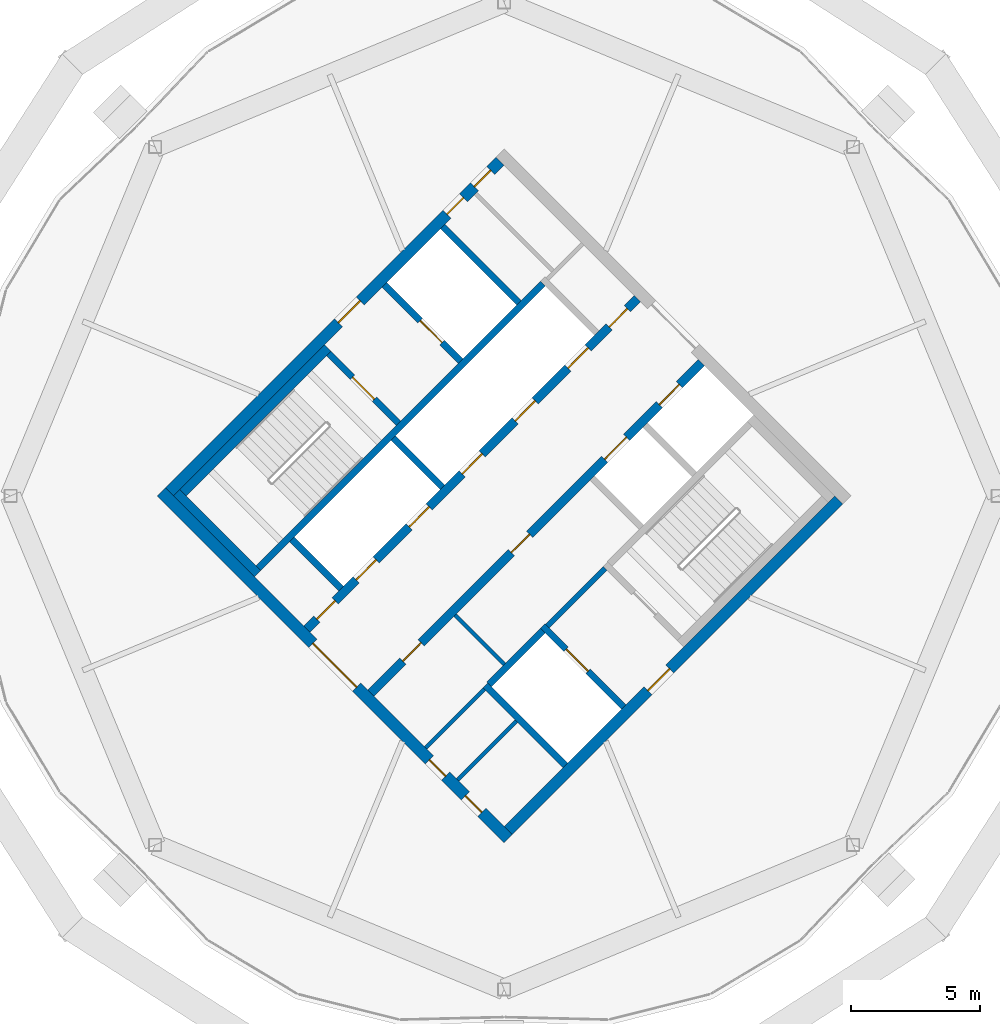
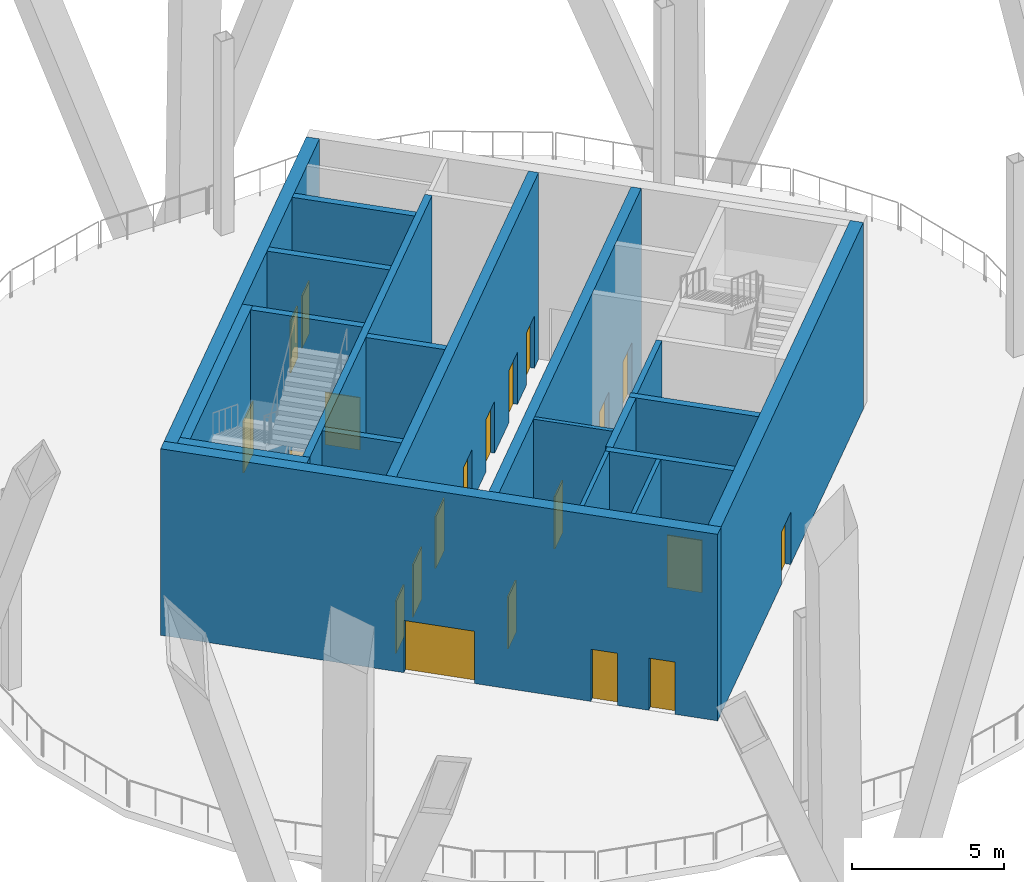
# One storey, part 6 of 13: 21 doors, 20 walls, 21 openings.
"""IFC4 building model written with IfcOpenShell, lengths in metres."""

from ifc_helpers import new_model, si_unit, direction, frame, frame_2d, origin, place, context, subcontext, project, spatial, rectangle, extrude, material, layer, layer_set, type_object, element, fill, save


model = new_model("IFC4")

# Units and contexts
model_context = context("Model", 3, precision=1e-05, world=origin(), true_north=direction((0.0, 1.0)))
body_context = subcontext(model_context, "Body", "Model", "MODEL_VIEW")
ifc_project = project(units=[si_unit("LENGTHUNIT", "METRE"), si_unit("AREAUNIT", "SQUARE_METRE"), si_unit("VOLUMEUNIT", "CUBIC_METRE"), si_unit("PLANEANGLEUNIT", "RADIAN"), si_unit("MASSUNIT", "GRAM", prefix="KILO")], contexts=[model_context])

# Site, building, storey
site_placement = place(None, origin())
site = spatial("IfcSite", under=ifc_project, at=site_placement, CompositionType="ELEMENT")
building_placement = place(site_placement, origin())
building = spatial("IfcBuilding", under=site, at=building_placement, Name="Ogive Gate Towers", CompositionType="ELEMENT")
storey_placement = place(building_placement, frame((0.0, 0.0, 221.10009765625)))
storey = spatial("IfcBuildingStorey", under=building, at=storey_placement, Name="L53", CompositionType="ELEMENT", Elevation=221.10009765625)

# Wall
ifc_material_1 = material(Name="Masonry blockwork", Category="masonry")
ifc_layer_1 = layer(ifc_material_1, 0.199951171875)
ifc_layer_set_1 = layer_set([ifc_layer_1], Name="Blockwork wall 200 mm")
wall_type_1 = type_object("IfcWallType", Name="Blockwork wall 200 mm", PredefinedType="PARTITIONING", material=ifc_layer_set_1)
wall_1_placement = place(storey_placement, frame((37.679443359375, -5.0380859375, 0.0), z_axis=(0.0, 0.0, 1.0), x_axis=(0.707106781187, 0.707106781187, 0.0)))
element("IfcWall", 1, at=wall_1_placement, inside=storey, type_object=wall_type_1, Name="T2 L53 Blockwork wall 200 mm", PredefinedType="PARTITIONING", context=body_context, shape_type="SweptSolid", body=[
    extrude(rectangle(XDim=3.14990234375, YDim=0.199951171875, at=frame_2d((1.574951171875, 0.0))), origin(), (0.0, 0.0, 1.0), 7.5),
])

# Wall, opening, door
ifc_material_2 = material(Name="Concrete C60/75", Category="concrete")
ifc_layer_2 = layer(ifc_material_2, 0.449951171875)
ifc_layer_set_2 = layer_set([ifc_layer_2], Name="Core wall 450 mm")
wall_type_2 = type_object("IfcWallType", Name="Core wall 450 mm", PredefinedType="SHEAR", material=ifc_layer_set_2)
wall_2_placement = place(storey_placement, frame((36.1591796875, -12.957763671875, 0.0), z_axis=(0.0, 0.0, 1.0), x_axis=(0.707106781187, 0.707106781187, 0.0)))
wall_2 = element("IfcWall", 2, at=wall_2_placement, inside=storey, type_object=wall_type_2, Name="T2 L53 Core wall 450 mm", PredefinedType="SHEAR", context=body_context, shape_type="SweptSolid", body=[
    extrude(rectangle(XDim=18.099853515625, YDim=0.449951171875, at=frame_2d((9.0498046875, 0.0))), origin(), (0.0, 0.0, 1.0), 7.5),
])
opening_1_placement = place(wall_2_placement, frame((7.64990234375, 0.0, 0.0)))
opening_1 = element("IfcOpeningElement", 3, at=opening_1_placement, cuts=wall_2, Name="Opening KD-T2-L53-19", PredefinedType="OPENING", context=body_context, shape_type="SweptSolid", body=[
    extrude(rectangle(XDim=1.199951171875, YDim=2.10009765625, at=frame_2d((0.60009765625, 1.050048828125))), frame((0.0, 0.23486328125, 0.0), z_axis=(0.0, -1.0, 0.0), x_axis=(1.0, 0.0, 0.0)), (0.0, 0.0, 1.0), 0.469970703125),
])
ifc_material_3 = material(Name="Steel fire door", Category="steel")
door_type_1 = type_object("IfcDoorType", Name="Core door FD60S 1200 x 2100", OperationType="NOTDEFINED", PredefinedType="DOOR", material=ifc_material_3)
door_1_placement = place(opening_1_placement, origin())
door_1 = element("IfcDoor", 4, at=door_1_placement, inside=storey, type_object=door_type_1, Name="T2 L53 Fire-fighting lobby door", OperationType="SINGLE_SWING_RIGHT", OverallHeight=2.10009765625, OverallWidth=1.199951171875, PredefinedType="DOOR", context=body_context, shape_type="SweptSolid", body=[
    extrude(rectangle(XDim=1.199951171875, YDim=2.10009765625, at=frame_2d((0.60009765625, 1.050048828125))), frame((0.0, 0.02490234375, 0.0), z_axis=(0.0, -1.0, 0.0), x_axis=(1.0, 0.0, 0.0)), (0.0, 0.0, 1.0), 0.050048828125),
])
fill(opening_1, door_1)

# Wall, openings, doors
wall_3_placement = place(storey_placement, frame((23.042236328125, 0.1591796875, 0.0), z_axis=(0.0, 0.0, 1.0), x_axis=(0.707106781187, 0.707106781187, 0.0)))
wall_3 = element("IfcWall", 5, at=wall_3_placement, inside=storey, type_object=wall_type_2, Name="T2 L53 Core wall 450 mm", PredefinedType="SHEAR", context=body_context, shape_type="SweptSolid", body=[
    extrude(rectangle(XDim=18.099853515625, YDim=0.449951171875, at=frame_2d((9.0498046875, 0.0))), origin(), (0.0, 0.0, 1.0), 7.5),
])
opening_2_placement = place(wall_3_placement, frame((9.25, 0.0, 0.0)))
opening_2 = element("IfcOpeningElement", 6, at=opening_2_placement, cuts=wall_3, Name="Opening KD-T2-L53-18", PredefinedType="OPENING", context=body_context, shape_type="SweptSolid", body=[
    extrude(rectangle(XDim=1.199951171875, YDim=2.10009765625, at=frame_2d((0.60009765625, 1.050048828125))), frame((0.0, 0.23486328125, 0.0), z_axis=(0.0, -1.0, 0.0), x_axis=(1.0, 0.0, 0.0)), (0.0, 0.0, 1.0), 0.469970703125),
])
opening_3_placement = place(wall_3_placement, frame((15.199951171875, 0.0, 0.0)))
opening_3 = element("IfcOpeningElement", 7, at=opening_3_placement, cuts=wall_3, Name="Opening KD-T2-L53-20", PredefinedType="OPENING", context=body_context, shape_type="SweptSolid", body=[
    extrude(rectangle(XDim=0.89990234375, YDim=2.10009765625, at=frame_2d((0.449951171875, 1.050048828125))), frame((0.0, 0.23486328125, 0.0), z_axis=(0.0, -1.0, 0.0), x_axis=(1.0, 0.0, 0.0)), (0.0, 0.0, 1.0), 0.469970703125),
])
opening_4_placement = place(wall_3_placement, frame((16.699951171875, 0.0, 0.0)))
opening_4 = element("IfcOpeningElement", 8, at=opening_4_placement, cuts=wall_3, Name="Opening KD-T2-L53-21", PredefinedType="OPENING", context=body_context, shape_type="SweptSolid", body=[
    extrude(rectangle(XDim=0.89990234375, YDim=2.10009765625, at=frame_2d((0.449951171875, 1.050048828125))), frame((0.0, 0.23486328125, 0.0), z_axis=(0.0, -1.0, 0.0), x_axis=(1.0, 0.0, 0.0)), (0.0, 0.0, 1.0), 0.469970703125),
])
door_2_placement = place(opening_2_placement, origin())
door_2 = element("IfcDoor", 9, at=door_2_placement, inside=storey, type_object=door_type_1, Name="T2 L53 Fire-fighting lobby door", OperationType="SINGLE_SWING_LEFT", OverallHeight=2.10009765625, OverallWidth=1.199951171875, PredefinedType="DOOR", context=body_context, shape_type="SweptSolid", body=[
    extrude(rectangle(XDim=1.199951171875, YDim=2.10009765625, at=frame_2d((0.60009765625, 1.050048828125))), frame((0.0, 0.02490234375, 0.0), z_axis=(0.0, -1.0, 0.0), x_axis=(1.0, 0.0, 0.0)), (0.0, 0.0, 1.0), 0.050048828125),
])
fill(opening_2, door_2)
door_type_2 = type_object("IfcDoorType", Name="Core door FD60S 900 x 2100", OperationType="NOTDEFINED", PredefinedType="DOOR", material=ifc_material_3)
door_3_placement = place(opening_3_placement, origin())
door_3 = element("IfcDoor", 10, at=door_3_placement, inside=storey, type_object=door_type_2, Name="T2 L53 Core door", OperationType="SINGLE_SWING_LEFT", OverallHeight=2.10009765625, OverallWidth=0.89990234375, PredefinedType="DOOR", context=body_context, shape_type="SweptSolid", body=[
    extrude(rectangle(XDim=0.89990234375, YDim=2.10009765625, at=frame_2d((0.449951171875, 1.050048828125))), frame((0.0, 0.02490234375, 0.0), z_axis=(0.0, -1.0, 0.0), x_axis=(1.0, 0.0, 0.0)), (0.0, 0.0, 1.0), 0.050048828125),
])
fill(opening_3, door_3)
door_4_placement = place(opening_4_placement, origin())
door_4 = element("IfcDoor", 11, at=door_4_placement, inside=storey, type_object=door_type_2, Name="T2 L53 Core door", OperationType="SINGLE_SWING_RIGHT", OverallHeight=2.10009765625, OverallWidth=0.89990234375, PredefinedType="DOOR", context=body_context, shape_type="SweptSolid", body=[
    extrude(rectangle(XDim=0.89990234375, YDim=2.10009765625, at=frame_2d((0.449951171875, 1.050048828125))), frame((0.0, 0.02490234375, 0.0), z_axis=(0.0, -1.0, 0.0), x_axis=(1.0, 0.0, 0.0)), (0.0, 0.0, 1.0), 0.050048828125),
])
fill(opening_4, door_4)

wall_4_placement = place(storey_placement, frame((36.1591796875, -13.27587890625, 0.0), z_axis=(0.0, 0.0, 1.0), x_axis=(-0.707106781187, 0.707106781187, 0.0)))
wall_4 = element("IfcWall", 12, at=wall_4_placement, inside=storey, type_object=wall_type_2, Name="T2 L53 Core wall 450 mm", PredefinedType="SHEAR", context=body_context, shape_type="SweptSolid", body=[
    extrude(rectangle(XDim=19.0, YDim=0.449951171875, at=frame_2d((9.5, 0.0))), origin(), (0.0, 0.0, 1.0), 7.5),
])
opening_5_placement = place(wall_4_placement, frame((8.300048828125, 0.0, 0.0)))
opening_5 = element("IfcOpeningElement", 13, at=opening_5_placement, cuts=wall_4, Name="Opening KD-T2-L53-01", PredefinedType="OPENING", context=body_context, shape_type="SweptSolid", body=[
    extrude(rectangle(XDim=2.39990234375, YDim=2.10009765625, at=frame_2d((1.199951171875, 1.050048828125))), frame((0.0, 0.23486328125, 0.0), z_axis=(0.0, -1.0, 0.0), x_axis=(1.0, 0.0, 0.0)), (0.0, 0.0, 1.0), 0.469970703125),
])
opening_6_placement = place(wall_4_placement, frame((1.449951171875, 0.0, 0.0)))
opening_6 = element("IfcOpeningElement", 14, at=opening_6_placement, cuts=wall_4, Name="Opening KD-T2-L53-22", PredefinedType="OPENING", context=body_context, shape_type="SweptSolid", body=[
    extrude(rectangle(XDim=0.89990234375, YDim=2.10009765625, at=frame_2d((0.449951171875, 1.050048828125))), frame((0.0, 0.23486328125, 0.0), z_axis=(0.0, -1.0, 0.0), x_axis=(1.0, 0.0, 0.0)), (0.0, 0.0, 1.0), 0.469970703125),
])
opening_7_placement = place(wall_4_placement, frame((3.425048828125, 0.0, 0.0)))
opening_7 = element("IfcOpeningElement", 15, at=opening_7_placement, cuts=wall_4, Name="Opening KD-T2-L53-23", PredefinedType="OPENING", context=body_context, shape_type="SweptSolid", body=[
    extrude(rectangle(XDim=0.89990234375, YDim=2.10009765625, at=frame_2d((0.449951171875, 1.050048828125))), frame((0.0, 0.23486328125, 0.0), z_axis=(0.0, -1.0, 0.0), x_axis=(1.0, 0.0, 0.0)), (0.0, 0.0, 1.0), 0.469970703125),
])
door_5_placement = place(opening_6_placement, origin())
door_5 = element("IfcDoor", 16, at=door_5_placement, inside=storey, type_object=door_type_2, Name="T2 L53 Core door", OperationType="SINGLE_SWING_LEFT", OverallHeight=2.10009765625, OverallWidth=0.89990234375, PredefinedType="DOOR", context=body_context, shape_type="SweptSolid", body=[
    extrude(rectangle(XDim=0.89990234375, YDim=2.10009765625, at=frame_2d((0.449951171875, 1.050048828125))), frame((0.0, 0.02490234375, 0.0), z_axis=(0.0, -1.0, 0.0), x_axis=(1.0, 0.0, 0.0)), (0.0, 0.0, 1.0), 0.050048828125),
])
fill(opening_6, door_5)
door_6_placement = place(opening_7_placement, origin())
door_6 = element("IfcDoor", 17, at=door_6_placement, inside=storey, type_object=door_type_2, Name="T2 L53 Core door", OperationType="SINGLE_SWING_RIGHT", OverallHeight=2.10009765625, OverallWidth=0.89990234375, PredefinedType="DOOR", context=body_context, shape_type="SweptSolid", body=[
    extrude(rectangle(XDim=0.89990234375, YDim=2.10009765625, at=frame_2d((0.449951171875, 1.050048828125))), frame((0.0, 0.02490234375, 0.0), z_axis=(0.0, -1.0, 0.0), x_axis=(1.0, 0.0, 0.0)), (0.0, 0.0, 1.0), 0.050048828125),
])
fill(opening_7, door_6)
door_type_3 = type_object("IfcDoorType", Name="Core double door FD60S 2400 x 2100", OperationType="DOUBLE_DOOR_SINGLE_SWING", PredefinedType="DOOR", material=ifc_material_3)
door_7_placement = place(opening_5_placement, origin())
door_7 = element("IfcDoor", 18, at=door_7_placement, inside=storey, type_object=door_type_3, Name="T2 L53 Core door double", OperationType="DOUBLE_DOOR_SINGLE_SWING", OverallHeight=2.10009765625, OverallWidth=2.39990234375, PredefinedType="DOOR", context=body_context, shape_type="SweptSolid", body=[
    extrude(rectangle(XDim=2.39990234375, YDim=2.10009765625, at=frame_2d((1.199951171875, 1.050048828125))), frame((0.0, 0.02490234375, 0.0), z_axis=(0.0, -1.0, 0.0), x_axis=(1.0, 0.0, 0.0)), (0.0, 0.0, 1.0), 0.050048828125),
])
fill(opening_5, door_7)

# Walls
ifc_material_4 = material(Name="Gypsum board partition")
ifc_layer_3 = layer(ifc_material_4, 0.14990234375)
ifc_layer_set_3 = layer_set([ifc_layer_3], Name="Room partition 150 mm")
wall_type_3 = type_object("IfcWallType", Name="Room partition 150 mm", PredefinedType="PARTITIONING", material=ifc_layer_set_3)
for number, where, z_axis, x_axis, name in (
    (19, (34.197021484375, -10.99560546875, 0.0), (0.0, 0.0, 1.0), (0.707068928518, 0.707144631829, 0.0), "T2 L53 Room partition 150 mm"),
    (20, (32.95947265625, -9.758056640625, 0.0), (0.0, 0.0, 1.0), (0.707144631829, 0.707068928518, 0.0), "T2 L53 Room partition 150 mm"),
):
    element("IfcWall", number, at=place(storey_placement, frame(where, z_axis=z_axis, x_axis=x_axis)), inside=storey, type_object=wall_type_3, Name=name, PredefinedType="PARTITIONING", context=body_context, shape_type="SweptSolid", body=[
        extrude(rectangle(XDim=3.224853515625, YDim=0.14990234375, at=frame_2d((1.6123046875, 0.0))), origin(), (0.0, 0.0, 1.0), 7.5),
    ])
wall_5_placement = place(storey_placement, frame((36.017578125, -6.523193359375, 0.0), z_axis=(0.0, 0.0, 1.0), x_axis=(-0.707106781187, 0.707106781187, 0.0)))
element("IfcWall", 21, at=wall_5_placement, inside=storey, type_object=wall_type_3, Name="T2 L53 Room partition 150 mm", PredefinedType="PARTITIONING", context=body_context, shape_type="SweptSolid", body=[
    extrude(rectangle(XDim=2.699951171875, YDim=0.14990234375, at=frame_2d((1.35009765625, 0.0))), origin(), (0.0, 0.0, 1.0), 7.5),
])
ifc_layer_4 = layer(ifc_material_2, 0.25)
ifc_layer_set_4 = layer_set([ifc_layer_4], Name="Shaft wall 250 mm")
wall_type_4 = type_object("IfcWallType", Name="Shaft wall 250 mm", PredefinedType="SHEAR", material=ifc_layer_set_4)
wall_6_placement = place(storey_placement, frame((35.41650390625, -7.30078125, 0.0), z_axis=(0.0, 0.0, 1.0), x_axis=(0.707148157867, 0.707065402085, 0.0)))
element("IfcWall", 22, at=wall_6_placement, inside=storey, type_object=wall_type_4, Name="T2 L53 Shaft wall 250 mm", PredefinedType="SHEAR", context=body_context, shape_type="SweptSolid", body=[
    extrude(rectangle(XDim=2.9501953125, YDim=0.25, at=frame_2d((1.47509765625, 0.0))), origin(), (0.0, 0.0, 1.0), 7.5),
])
wall_7_placement = place(storey_placement, frame((26.489501953125, -2.793212890625, 0.0), z_axis=(0.0, 0.0, 1.0), x_axis=(0.707098943647, 0.70711461864, 0.0)))
element("IfcWall", 23, at=wall_7_placement, inside=storey, type_object=wall_type_4, Name="T2 L53 Shaft wall 250 mm", PredefinedType="SHEAR", context=body_context, shape_type="SweptSolid", body=[
    extrude(rectangle(XDim=15.5751953125, YDim=0.25, at=frame_2d((7.78759765625, 0.0))), origin(), (0.0, 0.0, 1.0), 7.5),
])
wall_8_placement = place(storey_placement, frame((29.689208984375, -3.588623046875, 0.0), z_axis=(0.0, 0.0, 1.0), x_axis=(-0.707151988282, 0.707061571201, 0.0)))
element("IfcWall", 24, at=wall_8_placement, inside=storey, type_object=wall_type_4, Name="T2 L53 Shaft wall 250 mm", PredefinedType="SHEAR", context=body_context, shape_type="SweptSolid", body=[
    extrude(rectangle(XDim=2.7001953125, YDim=0.25, at=frame_2d((1.35009765625, 0.0))), origin(), (0.0, 0.0, 1.0), 7.5),
])
wall_9_placement = place(storey_placement, frame((38.368896484375, -10.4296875, 0.0), z_axis=(0.0, 0.0, 1.0), x_axis=(-0.707134682099, 0.707078879173, 0.0)))
element("IfcWall", 25, at=wall_9_placement, inside=storey, type_object=wall_type_4, Name="T2 L53 Shaft wall 250 mm", PredefinedType="SHEAR", context=body_context, shape_type="SweptSolid", body=[
    extrude(rectangle(XDim=4.375, YDim=0.25, at=frame_2d((2.1875, 0.0))), origin(), (0.0, 0.0, 1.0), 7.5),
])

# Wall, opening, door
wall_10_placement = place(storey_placement, frame((40.631591796875, -8.1669921875, 0.0), z_axis=(0.0, 0.0, 1.0), x_axis=(-0.707106781187, 0.707106781187, 0.0)))
wall_10 = element("IfcWall", 26, at=wall_10_placement, inside=storey, type_object=wall_type_4, Name="T2 L53 Shaft wall 250 mm", PredefinedType="SHEAR", context=body_context, shape_type="SweptSolid", body=[
    extrude(rectangle(XDim=4.425048828125, YDim=0.25, at=frame_2d((2.21240234375, 0.0))), origin(), (0.0, 0.0, 1.0), 7.5),
])
opening_8_placement = place(wall_10_placement, frame((1.949951171875, 0.0, 0.0)))
opening_8 = element("IfcOpeningElement", 27, at=opening_8_placement, cuts=wall_10, Name="Opening LD-T2-L53-13", PredefinedType="OPENING", context=body_context, shape_type="SweptSolid", body=[
    extrude(rectangle(XDim=1.199951171875, YDim=2.10009765625, at=frame_2d((0.60009765625, 1.050048828125))), frame((0.0, 0.135009765625, 0.0), z_axis=(0.0, -1.0, 0.0), x_axis=(1.0, 0.0, 0.0)), (0.0, 0.0, 1.0), 0.27001953125),
])
ifc_material_5 = material(Name="Stainless steel landing door", Category="steel")
door_type_4 = type_object("IfcDoorType", Name="Landing door 1200 x 2100", OperationType="SLIDING_TO_LEFT", PredefinedType="DOOR", material=ifc_material_5)
door_8_placement = place(opening_8_placement, origin())
door_8 = element("IfcDoor", 28, at=door_8_placement, inside=storey, type_object=door_type_4, Name="T2 L53 Lift landing door FF2", OperationType="SLIDING_TO_LEFT", OverallHeight=2.10009765625, OverallWidth=1.199951171875, PredefinedType="DOOR", context=body_context, shape_type="SweptSolid", body=[
    extrude(rectangle(XDim=1.199951171875, YDim=2.10009765625, at=frame_2d((0.60009765625, 1.050048828125))), frame((0.0, 0.02490234375, 0.0), z_axis=(0.0, -1.0, 0.0), x_axis=(1.0, 0.0, 0.0)), (0.0, 0.0, 1.0), 0.050048828125),
])
fill(opening_8, door_8)

# Wall
wall_11_placement = place(storey_placement, frame((33.613525390625, 0.3359375, 0.0), z_axis=(0.0, 0.0, 1.0), x_axis=(-0.707106781187, 0.707106781187, 0.0)))
element("IfcWall", 29, at=wall_11_placement, inside=storey, type_object=wall_type_4, Name="T2 L53 Shaft wall 250 mm", PredefinedType="SHEAR", context=body_context, shape_type="SweptSolid", body=[
    extrude(rectangle(XDim=2.699951171875, YDim=0.25, at=frame_2d((1.35009765625, 0.0))), origin(), (0.0, 0.0, 1.0), 7.5),
])

# Wall, opening, door
wall_12_placement = place(storey_placement, frame((31.91650390625, 2.810791015625, 0.0), z_axis=(0.0, 0.0, 1.0), x_axis=(-0.707106781187, 0.707106781187, 0.0)))
wall_12 = element("IfcWall", 30, at=wall_12_placement, inside=storey, type_object=wall_type_4, Name="T2 L53 Shaft wall 250 mm", PredefinedType="SHEAR", context=body_context, shape_type="SweptSolid", body=[
    extrude(rectangle(XDim=3.824951171875, YDim=0.25, at=frame_2d((1.91259765625, 0.0))), origin(), (0.0, 0.0, 1.0), 7.5),
])
opening_9_placement = place(wall_12_placement, frame((1.324951171875, 0.0, 0.0)))
opening_9 = element("IfcOpeningElement", 31, at=opening_9_placement, cuts=wall_12, Name="Opening KD-T2-L53-16", PredefinedType="OPENING", context=body_context, shape_type="SweptSolid", body=[
    extrude(rectangle(XDim=1.199951171875, YDim=2.10009765625, at=frame_2d((0.60009765625, 1.050048828125))), frame((0.0, 0.135009765625, 0.0), z_axis=(0.0, -1.0, 0.0), x_axis=(1.0, 0.0, 0.0)), (0.0, 0.0, 1.0), 0.27001953125),
])
door_9_placement = place(opening_9_placement, origin())
door_9 = element("IfcDoor", 32, at=door_9_placement, inside=storey, type_object=door_type_1, Name="T2 L53 Stair door", OperationType="SINGLE_SWING_LEFT", OverallHeight=2.10009765625, OverallWidth=1.199951171875, PredefinedType="DOOR", context=body_context, shape_type="SweptSolid", body=[
    extrude(rectangle(XDim=1.199951171875, YDim=2.10009765625, at=frame_2d((0.60009765625, 1.050048828125))), frame((0.0, 0.02490234375, 0.0), z_axis=(0.0, -1.0, 0.0), x_axis=(1.0, 0.0, 0.0)), (0.0, 0.0, 1.0), 0.050048828125),
])
fill(opening_9, door_9)

wall_13_placement = place(storey_placement, frame((34.320556640625, 5.21484375, 0.0), z_axis=(0.0, 0.0, 1.0), x_axis=(-0.707106781187, 0.707106781187, 0.0)))
wall_13 = element("IfcWall", 33, at=wall_13_placement, inside=storey, type_object=wall_type_4, Name="T2 L53 Shaft wall 250 mm", PredefinedType="SHEAR", context=body_context, shape_type="SweptSolid", body=[
    extrude(rectangle(XDim=4.175048828125, YDim=0.25, at=frame_2d((2.08740234375, 0.0))), origin(), (0.0, 0.0, 1.0), 7.5),
])
opening_10_placement = place(wall_13_placement, frame((1.02490234375, 0.0, 0.0)))
opening_10 = element("IfcOpeningElement", 34, at=opening_10_placement, cuts=wall_13, Name="Opening LD-T2-L53-12", PredefinedType="OPENING", context=body_context, shape_type="SweptSolid", body=[
    extrude(rectangle(XDim=1.199951171875, YDim=2.10009765625, at=frame_2d((0.60009765625, 1.050048828125))), frame((0.0, 0.135009765625, 0.0), z_axis=(0.0, -1.0, 0.0), x_axis=(1.0, 0.0, 0.0)), (0.0, 0.0, 1.0), 0.27001953125),
])
door_10_placement = place(opening_10_placement, origin())
door_10 = element("IfcDoor", 35, at=door_10_placement, inside=storey, type_object=door_type_4, Name="T2 L53 Lift landing door FF1", OperationType="SLIDING_TO_LEFT", OverallHeight=2.10009765625, OverallWidth=1.199951171875, PredefinedType="DOOR", context=body_context, shape_type="SweptSolid", body=[
    extrude(rectangle(XDim=1.199951171875, YDim=2.10009765625, at=frame_2d((0.60009765625, 1.050048828125))), frame((0.0, 0.02490234375, 0.0), z_axis=(0.0, -1.0, 0.0), x_axis=(1.0, 0.0, 0.0)), (0.0, 0.0, 1.0), 0.050048828125),
])
fill(opening_10, door_10)

# Wall
wall_14_placement = place(storey_placement, frame((36.58349609375, 7.477783203125, 0.0), z_axis=(0.0, 0.0, 1.0), x_axis=(-0.707165256008, 0.707048301529, 0.0)))
element("IfcWall", 36, at=wall_14_placement, inside=storey, type_object=wall_type_4, Name="T2 L53 Shaft wall 250 mm", PredefinedType="SHEAR", context=body_context, shape_type="SweptSolid", body=[
    extrude(rectangle(XDim=4.175048828125, YDim=0.25, at=frame_2d((2.08740234375, 0.0))), origin(), (0.0, 0.0, 1.0), 7.5),
])

# Wall, openings, doors
ifc_layer_5 = layer(ifc_material_2, 0.35009765625)
ifc_layer_set_5 = layer_set([ifc_layer_5], Name="Spine wall 350 mm")
wall_type_5 = type_object("IfcWallType", Name="Spine wall 350 mm", PredefinedType="SHEAR", material=ifc_layer_set_5)
wall_15_placement = place(storey_placement, frame((30.838134765625, -7.63671875, 0.0), z_axis=(0.0, 0.0, 1.0), x_axis=(0.707106781187, 0.707106781187, 0.0)))
wall_15 = element("IfcWall", 37, at=wall_15_placement, inside=storey, type_object=wall_type_5, Name="T2 L53 Spine wall 350 mm", PredefinedType="SHEAR", context=body_context, shape_type="SweptSolid", body=[
    extrude(rectangle(XDim=18.099853515625, YDim=0.35009765625, at=frame_2d((9.0498046875, 0.0))), origin(), (0.0, 0.0, 1.0), 7.5),
])
opening_11_placement = place(wall_15_placement, frame((12.800048828125, 0.0, 0.0)))
opening_11 = element("IfcOpeningElement", 38, at=opening_11_placement, cuts=wall_15, Name="Opening LD-T2-L53-10", PredefinedType="OPENING", context=body_context, shape_type="SweptSolid", body=[
    extrude(rectangle(XDim=1.199951171875, YDim=2.10009765625, at=frame_2d((0.60009765625, 1.050048828125))), frame((0.0, 0.18505859375, 0.0), z_axis=(0.0, -1.0, 0.0), x_axis=(1.0, 0.0, 0.0)), (0.0, 0.0, 1.0), 0.3701171875),
])
opening_12_placement = place(wall_15_placement, frame((15.800048828125, 0.0, 0.0)))
opening_12 = element("IfcOpeningElement", 39, at=opening_12_placement, cuts=wall_15, Name="Opening LD-T2-L53-11", PredefinedType="OPENING", context=body_context, shape_type="SweptSolid", body=[
    extrude(rectangle(XDim=1.10009765625, YDim=2.10009765625, at=frame_2d((0.550048828125, 1.050048828125))), frame((0.0, 0.18505859375, 0.0), z_axis=(0.0, -1.0, 0.0), x_axis=(1.0, 0.0, 0.0)), (0.0, 0.0, 1.0), 0.3701171875),
])
opening_13_placement = place(wall_15_placement, frame((1.75, 0.0, 0.0)))
opening_13 = element("IfcOpeningElement", 40, at=opening_13_placement, cuts=wall_15, Name="Opening KD-T2-L53-14", PredefinedType="OPENING", context=body_context, shape_type="SweptSolid", body=[
    extrude(rectangle(XDim=1.0, YDim=2.10009765625, at=frame_2d((0.5, 1.050048828125))), frame((0.0, 0.18505859375, 0.0), z_axis=(0.0, -1.0, 0.0), x_axis=(1.0, 0.0, 0.0)), (0.0, 0.0, 1.0), 0.3701171875),
])
opening_14_placement = place(wall_15_placement, frame((7.699951171875, 0.0, 0.0)))
opening_14 = element("IfcOpeningElement", 41, at=opening_14_placement, cuts=wall_15, Name="Opening KD-T2-L53-15", PredefinedType="OPENING", context=body_context, shape_type="SweptSolid", body=[
    extrude(rectangle(XDim=1.0, YDim=2.10009765625, at=frame_2d((0.5, 1.050048828125))), frame((0.0, 0.18505859375, 0.0), z_axis=(0.0, -1.0, 0.0), x_axis=(1.0, 0.0, 0.0)), (0.0, 0.0, 1.0), 0.3701171875),
])
door_type_5 = type_object("IfcDoorType", Name="Core door FD60S 1000 x 2100", OperationType="NOTDEFINED", PredefinedType="DOOR", material=ifc_material_3)
door_11_placement = place(opening_13_placement, origin())
door_11 = element("IfcDoor", 42, at=door_11_placement, inside=storey, type_object=door_type_5, Name="T2 L53 Core door", OperationType="SINGLE_SWING_LEFT", OverallHeight=2.10009765625, OverallWidth=1.0, PredefinedType="DOOR", context=body_context, shape_type="SweptSolid", body=[
    extrude(rectangle(XDim=1.0, YDim=2.10009765625, at=frame_2d((0.5, 1.050048828125))), frame((0.0, 0.02490234375, 0.0), z_axis=(0.0, -1.0, 0.0), x_axis=(1.0, 0.0, 0.0)), (0.0, 0.0, 1.0), 0.050048828125),
])
fill(opening_13, door_11)
door_12_placement = place(opening_14_placement, origin())
door_12 = element("IfcDoor", 43, at=door_12_placement, inside=storey, type_object=door_type_5, Name="T2 L53 Core door", OperationType="SINGLE_SWING_RIGHT", OverallHeight=2.10009765625, OverallWidth=1.0, PredefinedType="DOOR", context=body_context, shape_type="SweptSolid", body=[
    extrude(rectangle(XDim=1.0, YDim=2.10009765625, at=frame_2d((0.5, 1.050048828125))), frame((0.0, 0.02490234375, 0.0), z_axis=(0.0, -1.0, 0.0), x_axis=(1.0, 0.0, 0.0)), (0.0, 0.0, 1.0), 0.050048828125),
])
fill(opening_14, door_12)
door_type_6 = type_object("IfcDoorType", Name="Landing door 1100 x 2100", OperationType="SLIDING_TO_LEFT", PredefinedType="DOOR", material=ifc_material_5)
door_13_placement = place(opening_12_placement, origin())
door_13 = element("IfcDoor", 44, at=door_13_placement, inside=storey, type_object=door_type_6, Name="T2 L53 Lift landing door B6", OperationType="SLIDING_TO_LEFT", OverallHeight=2.10009765625, OverallWidth=1.10009765625, PredefinedType="DOOR", context=body_context, shape_type="SweptSolid", body=[
    extrude(rectangle(XDim=1.10009765625, YDim=2.10009765625, at=frame_2d((0.550048828125, 1.050048828125))), frame((0.0, 0.02490234375, 0.0), z_axis=(0.0, -1.0, 0.0), x_axis=(1.0, 0.0, 0.0)), (0.0, 0.0, 1.0), 0.050048828125),
])
fill(opening_12, door_13)
door_14_placement = place(opening_11_placement, origin())
door_14 = element("IfcDoor", 45, at=door_14_placement, inside=storey, type_object=door_type_4, Name="T2 L53 Lift landing door SVC", OperationType="SLIDING_TO_LEFT", OverallHeight=2.10009765625, OverallWidth=1.199951171875, PredefinedType="DOOR", context=body_context, shape_type="SweptSolid", body=[
    extrude(rectangle(XDim=1.199951171875, YDim=2.10009765625, at=frame_2d((0.60009765625, 1.050048828125))), frame((0.0, 0.02490234375, 0.0), z_axis=(0.0, -1.0, 0.0), x_axis=(1.0, 0.0, 0.0)), (0.0, 0.0, 1.0), 0.050048828125),
])
fill(opening_11, door_14)

wall_16_placement = place(storey_placement, frame((28.36328125, -5.161865234375, 0.0), z_axis=(0.0, 0.0, 1.0), x_axis=(0.707106781187, 0.707106781187, 0.0)))
wall_16 = element("IfcWall", 46, at=wall_16_placement, inside=storey, type_object=wall_type_5, Name="T2 L53 Spine wall 350 mm", PredefinedType="SHEAR", context=body_context, shape_type="SweptSolid", body=[
    extrude(rectangle(XDim=18.099853515625, YDim=0.35009765625, at=frame_2d((9.0498046875, 0.0))), origin(), (0.0, 0.0, 1.0), 7.5),
])
opening_15_placement = place(wall_16_placement, frame((0.550048828125, 0.0, 0.0)))
opening_15 = element("IfcOpeningElement", 47, at=opening_15_placement, cuts=wall_16, Name="Opening KD-T2-L53-03", PredefinedType="OPENING", context=body_context, shape_type="SweptSolid", body=[
    extrude(rectangle(XDim=1.0, YDim=2.10009765625, at=frame_2d((0.5, 1.050048828125))), frame((0.0, 0.18505859375, 0.0), z_axis=(0.0, -1.0, 0.0), x_axis=(1.0, 0.0, 0.0)), (0.0, 0.0, 1.0), 0.3701171875),
])
opening_16_placement = place(wall_16_placement, frame((2.699951171875, 0.0, 0.0)))
opening_16 = element("IfcOpeningElement", 48, at=opening_16_placement, cuts=wall_16, Name="Opening LD-T2-L53-04", PredefinedType="OPENING", context=body_context, shape_type="SweptSolid", body=[
    extrude(rectangle(XDim=1.10009765625, YDim=2.10009765625, at=frame_2d((0.550048828125, 1.050048828125))), frame((0.0, 0.18505859375, 0.0), z_axis=(0.0, -1.0, 0.0), x_axis=(1.0, 0.0, 0.0)), (0.0, 0.0, 1.0), 0.3701171875),
])
opening_17_placement = place(wall_16_placement, frame((5.60009765625, 0.0, 0.0)))
opening_17 = element("IfcOpeningElement", 49, at=opening_17_placement, cuts=wall_16, Name="Opening LD-T2-L53-05", PredefinedType="OPENING", context=body_context, shape_type="SweptSolid", body=[
    extrude(rectangle(XDim=1.10009765625, YDim=2.10009765625, at=frame_2d((0.550048828125, 1.050048828125))), frame((0.0, 0.18505859375, 0.0), z_axis=(0.0, -1.0, 0.0), x_axis=(1.0, 0.0, 0.0)), (0.0, 0.0, 1.0), 0.3701171875),
])
opening_18_placement = place(wall_16_placement, frame((8.5, 0.0, 0.0)))
opening_18 = element("IfcOpeningElement", 50, at=opening_18_placement, cuts=wall_16, Name="Opening LD-T2-L53-06", PredefinedType="OPENING", context=body_context, shape_type="SweptSolid", body=[
    extrude(rectangle(XDim=1.10009765625, YDim=2.10009765625, at=frame_2d((0.550048828125, 1.050048828125))), frame((0.0, 0.18505859375, 0.0), z_axis=(0.0, -1.0, 0.0), x_axis=(1.0, 0.0, 0.0)), (0.0, 0.0, 1.0), 0.3701171875),
])
opening_19_placement = place(wall_16_placement, frame((11.39990234375, 0.0, 0.0)))
opening_19 = element("IfcOpeningElement", 51, at=opening_19_placement, cuts=wall_16, Name="Opening LD-T2-L53-07", PredefinedType="OPENING", context=body_context, shape_type="SweptSolid", body=[
    extrude(rectangle(XDim=1.10009765625, YDim=2.10009765625, at=frame_2d((0.550048828125, 1.050048828125))), frame((0.0, 0.18505859375, 0.0), z_axis=(0.0, -1.0, 0.0), x_axis=(1.0, 0.0, 0.0)), (0.0, 0.0, 1.0), 0.3701171875),
])
opening_20_placement = place(wall_16_placement, frame((14.300048828125, 0.0, 0.0)))
opening_20 = element("IfcOpeningElement", 52, at=opening_20_placement, cuts=wall_16, Name="Opening LD-T2-L53-08", PredefinedType="OPENING", context=body_context, shape_type="SweptSolid", body=[
    extrude(rectangle(XDim=1.10009765625, YDim=2.10009765625, at=frame_2d((0.550048828125, 1.050048828125))), frame((0.0, 0.18505859375, 0.0), z_axis=(0.0, -1.0, 0.0), x_axis=(1.0, 0.0, 0.0)), (0.0, 0.0, 1.0), 0.3701171875),
])
opening_21_placement = place(wall_16_placement, frame((16.550048828125, 0.0, 0.0)))
opening_21 = element("IfcOpeningElement", 53, at=opening_21_placement, cuts=wall_16, Name="Opening KD-T2-L53-09", PredefinedType="OPENING", context=body_context, shape_type="SweptSolid", body=[
    extrude(rectangle(XDim=1.0, YDim=2.10009765625, at=frame_2d((0.5, 1.050048828125))), frame((0.0, 0.18505859375, 0.0), z_axis=(0.0, -1.0, 0.0), x_axis=(1.0, 0.0, 0.0)), (0.0, 0.0, 1.0), 0.3701171875),
])
door_15_placement = place(opening_15_placement, origin())
door_15 = element("IfcDoor", 54, at=door_15_placement, inside=storey, type_object=door_type_5, Name="T2 L53 Core door", OperationType="SINGLE_SWING_RIGHT", OverallHeight=2.10009765625, OverallWidth=1.0, PredefinedType="DOOR", context=body_context, shape_type="SweptSolid", body=[
    extrude(rectangle(XDim=1.0, YDim=2.10009765625, at=frame_2d((0.5, 1.050048828125))), frame((0.0, 0.02490234375, 0.0), z_axis=(0.0, -1.0, 0.0), x_axis=(1.0, 0.0, 0.0)), (0.0, 0.0, 1.0), 0.050048828125),
])
fill(opening_15, door_15)
door_16_placement = place(opening_21_placement, origin())
door_16 = element("IfcDoor", 55, at=door_16_placement, inside=storey, type_object=door_type_5, Name="T2 L53 Core door", OperationType="SINGLE_SWING_RIGHT", OverallHeight=2.10009765625, OverallWidth=1.0, PredefinedType="DOOR", context=body_context, shape_type="SweptSolid", body=[
    extrude(rectangle(XDim=1.0, YDim=2.10009765625, at=frame_2d((0.5, 1.050048828125))), frame((0.0, 0.02490234375, 0.0), z_axis=(0.0, -1.0, 0.0), x_axis=(1.0, 0.0, 0.0)), (0.0, 0.0, 1.0), 0.050048828125),
])
fill(opening_21, door_16)
door_17_placement = place(opening_16_placement, origin())
door_17 = element("IfcDoor", 56, at=door_17_placement, inside=storey, type_object=door_type_6, Name="T2 L53 Lift landing door B1", OperationType="SLIDING_TO_LEFT", OverallHeight=2.10009765625, OverallWidth=1.10009765625, PredefinedType="DOOR", context=body_context, shape_type="SweptSolid", body=[
    extrude(rectangle(XDim=1.10009765625, YDim=2.10009765625, at=frame_2d((0.550048828125, 1.050048828125))), frame((0.0, 0.02490234375, 0.0), z_axis=(0.0, -1.0, 0.0), x_axis=(1.0, 0.0, 0.0)), (0.0, 0.0, 1.0), 0.050048828125),
])
fill(opening_16, door_17)
door_18_placement = place(opening_17_placement, origin())
door_18 = element("IfcDoor", 57, at=door_18_placement, inside=storey, type_object=door_type_6, Name="T2 L53 Lift landing door B2", OperationType="SLIDING_TO_LEFT", OverallHeight=2.10009765625, OverallWidth=1.10009765625, PredefinedType="DOOR", context=body_context, shape_type="SweptSolid", body=[
    extrude(rectangle(XDim=1.10009765625, YDim=2.10009765625, at=frame_2d((0.550048828125, 1.050048828125))), frame((0.0, 0.02490234375, 0.0), z_axis=(0.0, -1.0, 0.0), x_axis=(1.0, 0.0, 0.0)), (0.0, 0.0, 1.0), 0.050048828125),
])
fill(opening_17, door_18)
door_19_placement = place(opening_18_placement, origin())
door_19 = element("IfcDoor", 58, at=door_19_placement, inside=storey, type_object=door_type_6, Name="T2 L53 Lift landing door B3", OperationType="SLIDING_TO_LEFT", OverallHeight=2.10009765625, OverallWidth=1.10009765625, PredefinedType="DOOR", context=body_context, shape_type="SweptSolid", body=[
    extrude(rectangle(XDim=1.10009765625, YDim=2.10009765625, at=frame_2d((0.550048828125, 1.050048828125))), frame((0.0, 0.02490234375, 0.0), z_axis=(0.0, -1.0, 0.0), x_axis=(1.0, 0.0, 0.0)), (0.0, 0.0, 1.0), 0.050048828125),
])
fill(opening_18, door_19)
door_20_placement = place(opening_19_placement, origin())
door_20 = element("IfcDoor", 59, at=door_20_placement, inside=storey, type_object=door_type_6, Name="T2 L53 Lift landing door B4", OperationType="SLIDING_TO_LEFT", OverallHeight=2.10009765625, OverallWidth=1.10009765625, PredefinedType="DOOR", context=body_context, shape_type="SweptSolid", body=[
    extrude(rectangle(XDim=1.10009765625, YDim=2.10009765625, at=frame_2d((0.550048828125, 1.050048828125))), frame((0.0, 0.02490234375, 0.0), z_axis=(0.0, -1.0, 0.0), x_axis=(1.0, 0.0, 0.0)), (0.0, 0.0, 1.0), 0.050048828125),
])
fill(opening_19, door_20)
door_21_placement = place(opening_20_placement, origin())
door_21 = element("IfcDoor", 60, at=door_21_placement, inside=storey, type_object=door_type_6, Name="T2 L53 Lift landing door B5", OperationType="SLIDING_TO_LEFT", OverallHeight=2.10009765625, OverallWidth=1.10009765625, PredefinedType="DOOR", context=body_context, shape_type="SweptSolid", body=[
    extrude(rectangle(XDim=1.10009765625, YDim=2.10009765625, at=frame_2d((0.550048828125, 1.050048828125))), frame((0.0, 0.02490234375, 0.0), z_axis=(0.0, -1.0, 0.0), x_axis=(1.0, 0.0, 0.0)), (0.0, 0.0, 1.0), 0.050048828125),
])
fill(opening_20, door_21)

# Walls
ifc_layer_6 = layer(ifc_material_2, 0.35009765625)
ifc_layer_set_6 = layer_set([ifc_layer_6], Name="Stair wall 350 mm")
wall_type_6 = type_object("IfcWallType", Name="Stair wall 350 mm", PredefinedType="SHEAR", material=ifc_layer_set_6)
wall_17_placement = place(storey_placement, frame((23.572509765625, 0.123779296875, 0.0), z_axis=(0.0, 0.0, 1.0), x_axis=(0.707122184046, 0.707091377991, 0.0)))
element("IfcWall", 61, at=wall_17_placement, inside=storey, type_object=wall_type_6, Name="T2 L53 Stair wall 350 mm", PredefinedType="SHEAR", context=body_context, shape_type="SweptSolid", body=[
    extrude(rectangle(XDim=7.925048828125, YDim=0.35009765625, at=frame_2d((3.96240234375, 0.0))), origin(), (0.0, 0.0, 1.0), 7.5),
])
wall_18_placement = place(storey_placement, frame((26.4541015625, -3.005126953125, 0.0), z_axis=(0.0, 0.0, 1.0), x_axis=(-0.707106781187, 0.707106781187, 0.0)))
element("IfcWall", 62, at=wall_18_placement, inside=storey, type_object=wall_type_6, Name="T2 L53 Stair wall 350 mm", PredefinedType="SHEAR", context=body_context, shape_type="SweptSolid", body=[
    extrude(rectangle(XDim=4.425048828125, YDim=0.35009765625, at=frame_2d((2.21240234375, 0.0))), origin(), (0.0, 0.0, 1.0), 7.5),
])

save(model, "model.ifc")
